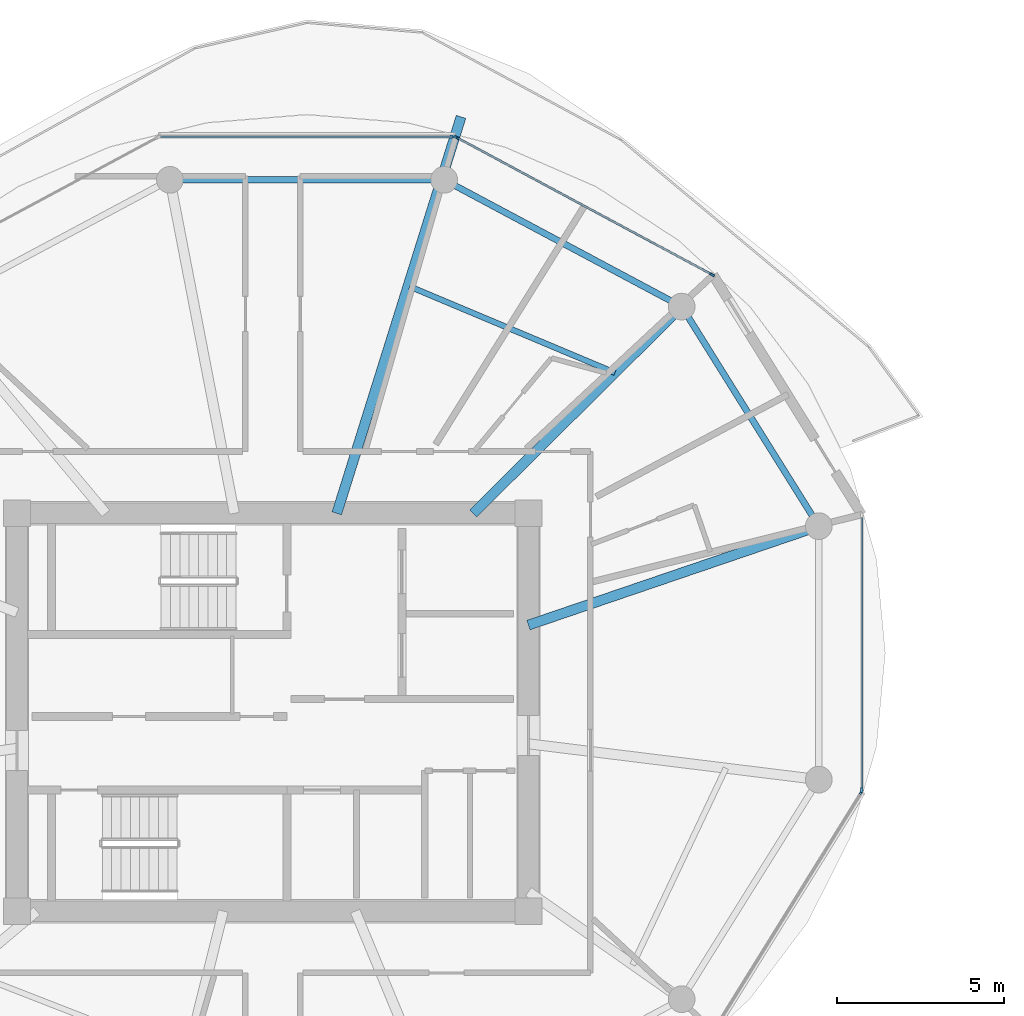
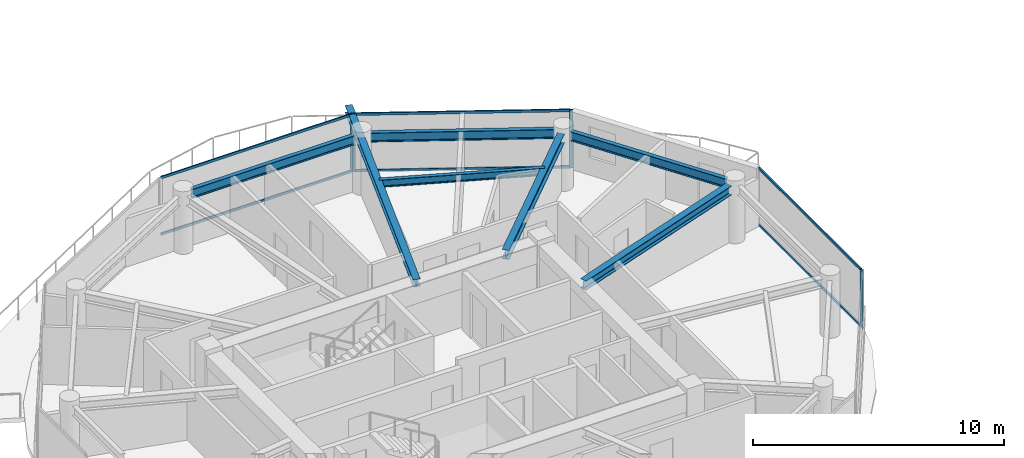
# One storey, part 5 of 21: 11 members, 7 beams, 4 elements without a shape of their own.
"""IFC4 building model written with IfcOpenShell, lengths in metres."""

from ifc_helpers import new_model, si_unit, direction, frame, origin, origin_2d, place, context, subcontext, project, spatial, rectangle, i_section, extrude, source, transform, mapped, material, layer, layer_set, material_profile, profile_set, type_object, type_shapes, element, aggregate, save


model = new_model("IFC4")

# Units and contexts
model_context = context("Model", 3, precision=1e-05, world=origin(), true_north=direction((0.0, 1.0)))
body_context = subcontext(model_context, "Body", "Model", "MODEL_VIEW")
ifc_project = project(units=[si_unit("LENGTHUNIT", "METRE"), si_unit("AREAUNIT", "SQUARE_METRE"), si_unit("VOLUMEUNIT", "CUBIC_METRE"), si_unit("PLANEANGLEUNIT", "RADIAN"), si_unit("MASSUNIT", "GRAM", prefix="KILO")], contexts=[model_context])

# Site, building, storey
site_placement = place(None, origin())
site = spatial("IfcSite", under=ifc_project, at=site_placement, CompositionType="ELEMENT")
building_placement = place(site_placement, origin())
building = spatial("IfcBuilding", under=site, at=building_placement, Name="Norrkilde Senior Care Towers", CompositionType="ELEMENT")
storey_placement = place(building_placement, frame((0.0, 0.0, 143.449951171875)))
storey = spatial("IfcBuildingStorey", under=building, at=storey_placement, Name="L44", CompositionType="ELEMENT", Elevation=143.449951171875)

# Beams
ifc_material_1 = material(Name="Steel S355", Category="steel")
ifc_material_profile_1 = material_profile(ifc_material_1, i_section(OverallWidth=0.18994140625, OverallDepth=0.449951171875, WebThickness=0.009521484375, FlangeThickness=0.0146484375, FilletRadius=0.02099609375, at=origin_2d()), Name="IPE 450")
ifc_profile_set_1 = profile_set([ifc_material_profile_1], Name="Steel S355")
beam_type_1 = type_object("IfcBeamType", Name="Perimeter Ring Spandrel Z3 IPE450", PredefinedType="SPANDREL", material=ifc_profile_set_1)
shared_shape_1 = source(origin(), body_context, "Body", "SweptSolid", [
    extrude(i_section(OverallWidth=0.18994140625, OverallDepth=0.449951171875, WebThickness=0.009521484375, FlangeThickness=0.0146484375, FilletRadius=0.02099609375, at=origin_2d()), origin(), (0.0, 0.0, 1.0), 7.0234375),
])
beam_1_placement = place(storey_placement, frame((-11.855712890625, 5.872314453125, 2.5849609375), z_axis=(-0.529789577822, 0.848129119433, 0.0), x_axis=(-0.848129119433, -0.529789577822, 0.0)))
element("IfcBeam", 1, at=beam_1_placement, inside=storey, type_object=beam_type_1, Name="L44 Drum W Perimeter Spandrel 01", PredefinedType="SPANDREL", context=body_context, shape_type="MappedRepresentation", body=[
    mapped(shared_shape_1, transform((0.0, 0.0, 0.0), x_axis=(1.0, 0.0, 0.0), y_axis=(0.0, 1.0, 0.0), z_axis=(0.0, 0.0, 1.0), scale=1.0)),
])
ifc_material_profile_2 = material_profile(ifc_material_1, i_section(OverallWidth=0.300048828125, OverallDepth=0.449951171875, WebThickness=0.013916015625, FlangeThickness=0.02587890625, FilletRadius=0.027099609375, at=origin_2d()), Name="HEB 450")
ifc_profile_set_2 = profile_set([ifc_material_profile_2], Name="Steel S355")
beam_type_2 = type_object("IfcBeamType", Name="Radial Floor Beam Z3 HEB450", PredefinedType="BEAM", material=ifc_profile_set_2)
shared_shape_2 = source(origin(), body_context, "Body", "SweptSolid", [
    extrude(i_section(OverallWidth=0.300048828125, OverallDepth=0.449951171875, WebThickness=0.013916015625, FlangeThickness=0.02587890625, FilletRadius=0.027099609375, at=origin_2d()), origin(), (0.0, 0.0, 1.0), 8.8154296875),
])
beam_2_placement = place(storey_placement, frame((-20.35009765625, 2.607177734375, 2.5849609375), z_axis=(0.946540556878, 0.322584832539, 0.0), x_axis=(-0.322584832539, 0.946540556878, 0.0)))
element("IfcBeam", 2, at=beam_2_placement, inside=storey, type_object=beam_type_2, Name="L44 Drum W Radial Floor Beam 01", PredefinedType="BEAM", context=body_context, shape_type="MappedRepresentation", body=[
    mapped(shared_shape_2, transform((0.0, 0.0, 0.0), x_axis=(1.0, 0.0, 0.0), y_axis=(0.0, 1.0, 0.0), z_axis=(0.0, 0.0, 1.0), scale=1.0)),
])
shared_shape_3 = source(origin(), body_context, "Body", "SweptSolid", [
    extrude(i_section(OverallWidth=0.18994140625, OverallDepth=0.449951171875, WebThickness=0.009521484375, FlangeThickness=0.0146484375, FilletRadius=0.02099609375, at=origin_2d()), origin(), (0.0, 0.0, 1.0), 7.333740234375),
])
beam_3_placement = place(storey_placement, frame((-16.0849609375, 12.303955078125, 2.5849609375), z_axis=(-0.882247866069, 0.470785198172, 0.0), x_axis=(-0.470785198172, -0.882247866069, 0.0)))
element("IfcBeam", 3, at=beam_3_placement, inside=storey, type_object=beam_type_1, Name="L44 Drum W Perimeter Spandrel 02", PredefinedType="SPANDREL", context=body_context, shape_type="MappedRepresentation", body=[
    mapped(shared_shape_3, transform((0.0, 0.0, 0.0), x_axis=(1.0, 0.0, 0.0), y_axis=(0.0, 1.0, 0.0), z_axis=(0.0, 0.0, 1.0), scale=1.0)),
])
shared_shape_4 = source(origin(), body_context, "Body", "SweptSolid", [
    extrude(i_section(OverallWidth=0.300048828125, OverallDepth=0.449951171875, WebThickness=0.013916015625, FlangeThickness=0.02587890625, FilletRadius=0.027099609375, at=origin_2d()), origin(), (0.0, 0.0, 1.0), 8.421630859375),
])
type_shapes(beam_type_2, [shared_shape_2, shared_shape_4])
beam_4_placement = place(storey_placement, frame((-22.001953125, 5.949951171875, 2.5849609375), z_axis=(0.709956495972, 0.704245535184, 0.0), x_axis=(-0.704245535184, 0.709956495972, 0.0)))
element("IfcBeam", 4, at=beam_4_placement, inside=storey, type_object=beam_type_2, Name="L44 Drum W Radial Floor Beam 02", PredefinedType="BEAM", context=body_context, shape_type="MappedRepresentation", body=[
    mapped(shared_shape_4, transform((0.0, 0.0, 0.0), x_axis=(1.0, 0.0, 0.0), y_axis=(0.0, 1.0, 0.0), z_axis=(0.0, 0.0, 1.0), scale=1.0)),
])
shared_shape_5 = source(origin(), body_context, "Body", "SweptSolid", [
    extrude(i_section(OverallWidth=0.18994140625, OverallDepth=0.449951171875, WebThickness=0.009521484375, FlangeThickness=0.0146484375, FilletRadius=0.02099609375, at=origin_2d()), origin(), (0.0, 0.0, 1.0), 7.484619140625),
])
type_shapes(beam_type_1, [shared_shape_1, shared_shape_3, shared_shape_5])
beam_5_placement = place(storey_placement, frame((-23.232666015625, 15.92626953125, 2.5849609375), z_axis=(-1.0, 0.0, 0.0), x_axis=(0.0, -1.0, 0.0)))
element("IfcBeam", 5, at=beam_5_placement, inside=storey, type_object=beam_type_1, Name="L44 Drum W Perimeter Spandrel 03", PredefinedType="SPANDREL", context=body_context, shape_type="MappedRepresentation", body=[
    mapped(shared_shape_5, transform((0.0, 0.0, 0.0), x_axis=(1.0, 0.0, 0.0), y_axis=(0.0, 1.0, 0.0), z_axis=(0.0, 0.0, 1.0), scale=1.0)),
])
ifc_material_profile_3 = material_profile(ifc_material_1, i_section(OverallWidth=0.169921875, OverallDepth=0.360107421875, WebThickness=0.008056640625, FlangeThickness=0.0126953125, FilletRadius=0.01806640625, at=origin_2d()), Name="IPE 360")
ifc_profile_set_3 = profile_set([ifc_material_profile_3], Name="Steel S355")
beam_type_3 = type_object("IfcBeamType", Name="Secondary Floor Joist IPE360", PredefinedType="JOIST", material=ifc_profile_set_3)
shared_shape_6 = source(origin(), body_context, "Body", "SweptSolid", [
    extrude(i_section(OverallWidth=0.169921875, OverallDepth=0.360107421875, WebThickness=0.008056640625, FlangeThickness=0.0126953125, FilletRadius=0.01806640625, at=origin_2d()), origin(), (0.0, 0.0, 1.0), 6.657470703125),
])
type_shapes(beam_type_3, [shared_shape_6])
beam_6_placement = place(storey_placement, frame((-17.762451171875, 10.155517578125, 2.630126953125), z_axis=(-0.921958799252, 0.387287971, 0.0), x_axis=(-0.387287971, -0.921958799252, 0.0)))
element("IfcBeam", 6, at=beam_6_placement, inside=storey, type_object=beam_type_3, Name="L44 Drum W Secondary Floor Joist 1", PredefinedType="JOIST", context=body_context, shape_type="MappedRepresentation", body=[
    mapped(shared_shape_6, transform((0.0, 0.0, 0.0), x_axis=(1.0, 0.0, 0.0), y_axis=(0.0, 1.0, 0.0), z_axis=(0.0, 0.0, 1.0), scale=1.0)),
])
ifc_material_profile_4 = material_profile(ifc_material_1, i_section(OverallWidth=0.300048828125, OverallDepth=0.360107421875, WebThickness=0.012451171875, FlangeThickness=0.0224609375, FilletRadius=0.027099609375, at=origin_2d()), Name="HEB 360")
ifc_profile_set_4 = profile_set([ifc_material_profile_4], Name="Steel S355")
beam_type_4 = type_object("IfcBeamType", Name="Balcony Crest Cantilever Rib HEB360", PredefinedType="BEAM", material=ifc_profile_set_4)
shared_shape_7 = source(origin(), body_context, "Body", "SweptSolid", [
    extrude(i_section(OverallWidth=0.300048828125, OverallDepth=0.360107421875, WebThickness=0.012451171875, FlangeThickness=0.0224609375, FilletRadius=0.027099609375, at=origin_2d()), origin(), (0.0, 0.0, 1.0), 12.428466796875),
])
type_shapes(beam_type_4, [shared_shape_7])
beam_7_placement = place(storey_placement, frame((-26.08447265625, 5.949951171875, 2.630126953125), z_axis=(0.299033236562, 0.954242696295, 0.0), x_axis=(-0.954242696295, 0.299033236562, 0.0)))
element("IfcBeam", 7, at=beam_7_placement, inside=storey, type_object=beam_type_4, Name="L44 Drum W Balcony Cantilever Rib", PredefinedType="BEAM", context=body_context, shape_type="MappedRepresentation", body=[
    mapped(shared_shape_7, transform((0.0, 0.0, 0.0), x_axis=(1.0, 0.0, 0.0), y_axis=(0.0, 1.0, 0.0), z_axis=(0.0, 0.0, 1.0), scale=1.0)),
])

# Curtain wall, members
ifc_material_2 = material(Name="Triple Low-E Insulated Glazing", Category="glass")
ifc_layer = layer(ifc_material_2, 0.18994140625)
ifc_layer_set = layer_set([ifc_layer], Name="Triple Low-E Insulated Glazing")
curtain_wall_type = type_object("IfcCurtainWallType", Name="CW4 Zone 3 Senior Residence Curtain Wall", PredefinedType="NOTDEFINED", material=ifc_layer_set)
curtain_wall_1_placement = place(storey_placement, origin())
curtain_wall_1 = element("IfcCurtainWall", 8, at=curtain_wall_1_placement, inside=storey, type_object=curtain_wall_type, Name="L44 Drum W Curtain Wall 01", PredefinedType="NOTDEFINED")
ifc_material_3 = material(Name="Anodised Aluminium", Category="aluminium")
ifc_material_profile_5 = material_profile(ifc_material_3, rectangle(XDim=0.06494140625, YDim=0.14990234375, at=origin_2d()), Name="ALU MULL 65x150")
ifc_profile_set_5 = profile_set([ifc_material_profile_5], Name="Anodised Aluminium")
member_type_1 = type_object("IfcMemberType", Name="Curtain Wall Mullion Z3-Z4 65x150", PredefinedType="MULLION", material=ifc_profile_set_5)
shared_shape_8 = source(origin(), body_context, "Body", "SweptSolid", [
    extrude(rectangle(XDim=0.06494140625, YDim=0.14990234375, at=origin_2d()), origin(), (0.0, 0.0, 1.0), 2.81005859375),
])
type_shapes(member_type_1, [shared_shape_8])
member_1_placement = place(storey_placement, frame((-22.499755859375, 17.195556640625, 0.0), z_axis=(0.0, 0.0, 1.0), x_axis=(0.47311715104, 0.880999524059, 0.0)))
member_1 = element("IfcMember", 9, at=member_1_placement, type_object=member_type_1, Name="CW-4 mullion 1", PredefinedType="MULLION", context=body_context, shape_type="MappedRepresentation", body=[
    mapped(shared_shape_8, transform((0.0, 0.0, 0.0), x_axis=(1.0, 0.0, 0.0), y_axis=(0.0, 1.0, 0.0), z_axis=(0.0, 0.0, 1.0), scale=1.0)),
])
member_2_placement = place(storey_placement, frame((-14.85546875, 13.09033203125, 0.0), z_axis=(0.0, 0.0, 1.0), x_axis=(0.47311715104, 0.880999524059, 0.0)))
member_2 = element("IfcMember", 10, at=member_2_placement, type_object=member_type_1, Name="CW-4 mullion 2", PredefinedType="MULLION", context=body_context, shape_type="MappedRepresentation", body=[
    mapped(shared_shape_8, transform((0.0, 0.0, 0.0), x_axis=(1.0, 0.0, 0.0), y_axis=(0.0, 1.0, 0.0), z_axis=(0.0, 0.0, 1.0), scale=1.0)),
])

# Curtain wall, member
curtain_wall_2_placement = place(storey_placement, origin())
curtain_wall_2 = element("IfcCurtainWall", 11, at=curtain_wall_2_placement, inside=storey, type_object=curtain_wall_type, Name="L44 Drum W Curtain Wall 02", PredefinedType="NOTDEFINED")
member_3_placement = place(storey_placement, frame((-22.56103515625, 17.2109375, 0.0), z_axis=(0.0, 0.0, 1.0), x_axis=(0.0, 1.0, 0.0)))
member_3 = element("IfcMember", 12, at=member_3_placement, type_object=member_type_1, Name="CW-4 mullion 2", PredefinedType="MULLION", context=body_context, shape_type="MappedRepresentation", body=[
    mapped(shared_shape_8, transform((0.0, 0.0, 0.0), x_axis=(1.0, 0.0, 0.0), y_axis=(0.0, 1.0, 0.0), z_axis=(0.0, 0.0, 1.0), scale=1.0)),
])

curtain_wall_3_placement = place(storey_placement, origin())
curtain_wall_3 = element("IfcCurtainWall", 13, at=curtain_wall_3_placement, inside=storey, type_object=curtain_wall_type, Name="L44 Drum W Curtain Wall 10", PredefinedType="NOTDEFINED")
member_4_placement = place(storey_placement, frame((-10.3974609375, -2.38818359375, 0.0), z_axis=(0.0, 0.0, 1.0), x_axis=(0.84963405474, -0.52737270789, 0.0)))
member_4 = element("IfcMember", 14, at=member_4_placement, type_object=member_type_1, Name="CW-4 mullion 1", PredefinedType="MULLION", context=body_context, shape_type="MappedRepresentation", body=[
    mapped(shared_shape_8, transform((0.0, 0.0, 0.0), x_axis=(1.0, 0.0, 0.0), y_axis=(0.0, 1.0, 0.0), z_axis=(0.0, 0.0, 1.0), scale=1.0)),
])
aggregate(curtain_wall_3, [member_4])

curtain_wall_4_placement = place(storey_placement, origin())
curtain_wall_4 = element("IfcCurtainWall", 15, at=curtain_wall_4_placement, inside=storey, type_object=curtain_wall_type, Name="L44 Drum W Curtain Wall 11", PredefinedType="NOTDEFINED")
member_5_placement = place(storey_placement, frame((-10.38037109375, -2.328125, 0.0), z_axis=(0.0, 0.0, 1.0), x_axis=(1.0, 0.0, 0.0)))
member_5 = element("IfcMember", 16, at=member_5_placement, type_object=member_type_1, Name="CW-4 mullion 2", PredefinedType="MULLION", context=body_context, shape_type="MappedRepresentation", body=[
    mapped(shared_shape_8, transform((0.0, 0.0, 0.0), x_axis=(1.0, 0.0, 0.0), y_axis=(0.0, 1.0, 0.0), z_axis=(0.0, 0.0, 1.0), scale=1.0)),
])

# Member
ifc_material_profile_6 = material_profile(ifc_material_3, rectangle(XDim=0.06005859375, YDim=0.1201171875, at=origin_2d()), Name="ALU TRAN 60x120")
ifc_profile_set_6 = profile_set([ifc_material_profile_6], Name="Anodised Aluminium")
member_type_2 = type_object("IfcMemberType", Name="Curtain Wall Transom Typical 60x120", PredefinedType="USERDEFINED", material=ifc_profile_set_6)
shared_shape_9 = source(origin(), body_context, "Body", "SweptSolid", [
    extrude(rectangle(XDim=0.06005859375, YDim=0.1201171875, at=origin_2d()), origin(), (0.0, 0.0, 1.0), 8.61181640625),
])
member_6_placement = place(storey_placement, frame((-22.47119140625, 17.18017578125, 0.030029296875), z_axis=(0.880993991641, -0.473127452906, 0.0), x_axis=(0.473127452906, 0.880993991641, 0.0)))
member_6 = element("IfcMember", 17, at=member_6_placement, type_object=member_type_2, Name="CW-4 transom 1.1", ObjectType="TRANSOM", PredefinedType="USERDEFINED", context=body_context, shape_type="MappedRepresentation", body=[
    mapped(shared_shape_9, transform((0.0, 0.0, 0.0), x_axis=(1.0, 0.0, 0.0), y_axis=(0.0, 1.0, 0.0), z_axis=(0.0, 0.0, 1.0), scale=1.0)),
])

member_7_placement = place(storey_placement, frame((-22.47119140625, 17.18017578125, 2.780029296875), z_axis=(0.880993991641, -0.473127452906, 0.0), x_axis=(0.473127452906, 0.880993991641, 0.0)))
member_7 = element("IfcMember", 18, at=member_7_placement, type_object=member_type_2, Name="CW-4 transom 1.2", ObjectType="TRANSOM", PredefinedType="USERDEFINED", context=body_context, shape_type="MappedRepresentation", body=[
    mapped(shared_shape_9, transform((0.0, 0.0, 0.0), x_axis=(1.0, 0.0, 0.0), y_axis=(0.0, 1.0, 0.0), z_axis=(0.0, 0.0, 1.0), scale=1.0)),
])

aggregate(curtain_wall_1, [member_1, member_2, member_6, member_7])

shared_shape_10 = source(origin(), body_context, "Body", "SweptSolid", [
    extrude(rectangle(XDim=0.06005859375, YDim=0.1201171875, at=origin_2d()), origin(), (0.0, 0.0, 1.0), 8.762939453125),
])
member_8_placement = place(storey_placement, frame((-31.3564453125, 17.2109375, 0.030029296875), z_axis=(1.0, 0.0, 0.0), x_axis=(0.0, 1.0, 0.0)))
member_8 = element("IfcMember", 19, at=member_8_placement, type_object=member_type_2, Name="CW-4 transom 1.1", ObjectType="TRANSOM", PredefinedType="USERDEFINED", context=body_context, shape_type="MappedRepresentation", body=[
    mapped(shared_shape_10, transform((0.0, 0.0, 0.0), x_axis=(1.0, 0.0, 0.0), y_axis=(0.0, 1.0, 0.0), z_axis=(0.0, 0.0, 1.0), scale=1.0)),
])

member_9_placement = place(storey_placement, frame((-31.3564453125, 17.2109375, 2.780029296875), z_axis=(1.0, 0.0, 0.0), x_axis=(0.0, 1.0, 0.0)))
member_9 = element("IfcMember", 20, at=member_9_placement, type_object=member_type_2, Name="CW-4 transom 1.2", ObjectType="TRANSOM", PredefinedType="USERDEFINED", context=body_context, shape_type="MappedRepresentation", body=[
    mapped(shared_shape_10, transform((0.0, 0.0, 0.0), x_axis=(1.0, 0.0, 0.0), y_axis=(0.0, 1.0, 0.0), z_axis=(0.0, 0.0, 1.0), scale=1.0)),
])

aggregate(curtain_wall_2, [member_3, member_8, member_9])

shared_shape_11 = source(origin(), body_context, "Body", "SweptSolid", [
    extrude(rectangle(XDim=0.06005859375, YDim=0.1201171875, at=origin_2d()), origin(), (0.0, 0.0, 1.0), 8.141845703125),
])
type_shapes(member_type_2, [shared_shape_9, shared_shape_10, shared_shape_11])
member_10_placement = place(storey_placement, frame((-10.38037109375, 5.84619140625, 0.030029296875), z_axis=(0.0, -1.0, 0.0), x_axis=(1.0, 0.0, 0.0)))
member_10 = element("IfcMember", 21, at=member_10_placement, type_object=member_type_2, Name="CW-4 transom 1.1", ObjectType="TRANSOM", PredefinedType="USERDEFINED", context=body_context, shape_type="MappedRepresentation", body=[
    mapped(shared_shape_11, transform((0.0, 0.0, 0.0), x_axis=(1.0, 0.0, 0.0), y_axis=(0.0, 1.0, 0.0), z_axis=(0.0, 0.0, 1.0), scale=1.0)),
])

member_11_placement = place(storey_placement, frame((-10.38037109375, 5.84619140625, 2.780029296875), z_axis=(0.0, -1.0, 0.0), x_axis=(1.0, 0.0, 0.0)))
member_11 = element("IfcMember", 22, at=member_11_placement, type_object=member_type_2, Name="CW-4 transom 1.2", ObjectType="TRANSOM", PredefinedType="USERDEFINED", context=body_context, shape_type="MappedRepresentation", body=[
    mapped(shared_shape_11, transform((0.0, 0.0, 0.0), x_axis=(1.0, 0.0, 0.0), y_axis=(0.0, 1.0, 0.0), z_axis=(0.0, 0.0, 1.0), scale=1.0)),
])

aggregate(curtain_wall_4, [member_5, member_10, member_11])

save(model, "model.ifc")
